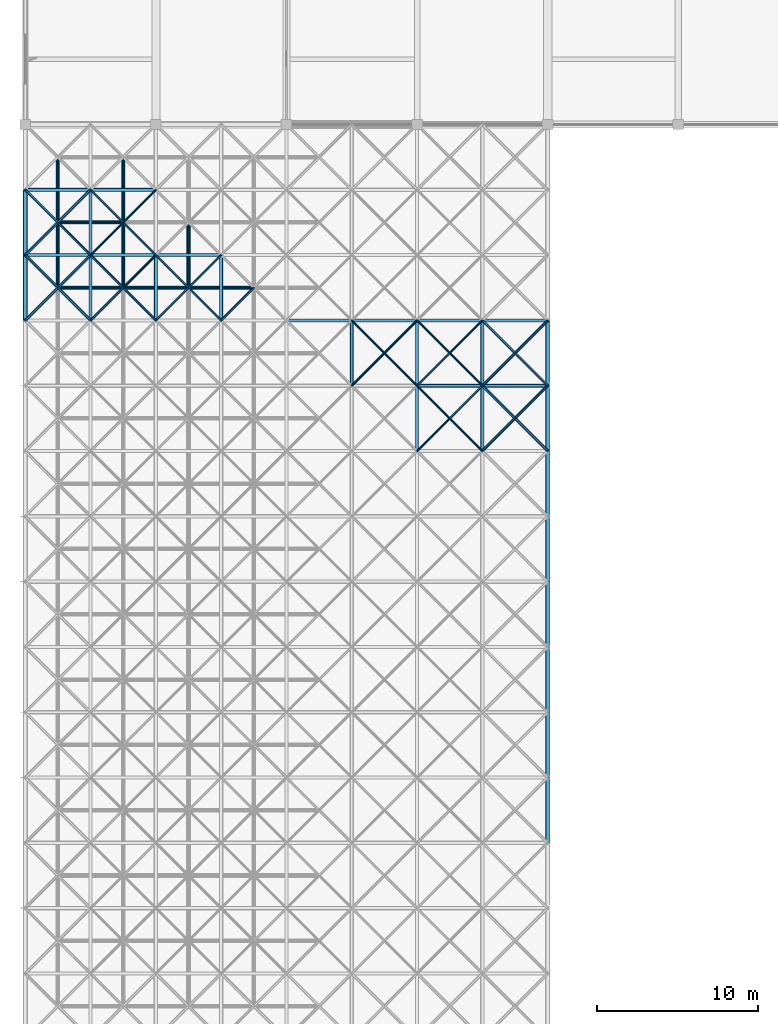
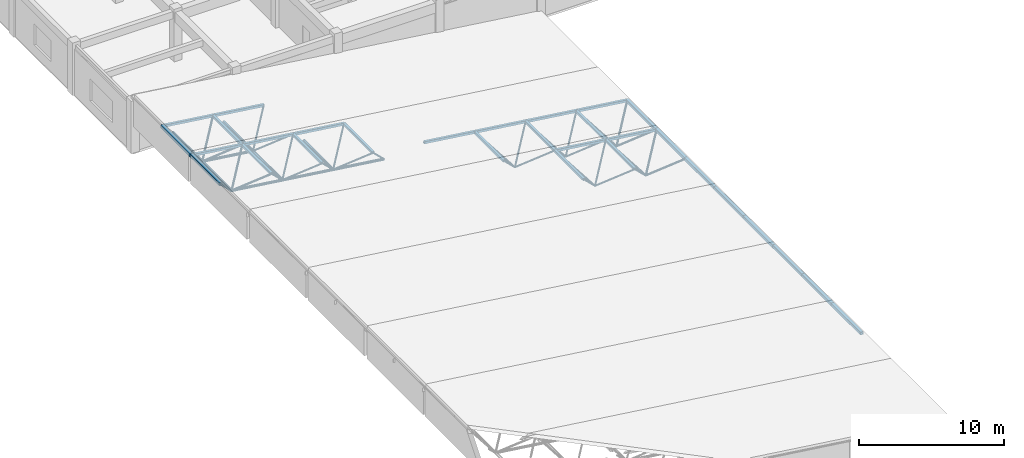
# One storey, part 22 of 70: 80 members.
"""IFC4 building model written with IfcOpenShell, lengths in metres."""

from ifc_helpers import new_model, si_unit, direction, frame, origin, origin_2d, place, context, subcontext, project, spatial, hollow_rectangle, hollow_circle, extrude, material, material_profile, profile_set, type_object, element, save


model = new_model("IFC4")

# Units and contexts
model_context = context("Model", 3, precision=1e-05, world=origin(), true_north=direction((0.0, 1.0)))
body_context = subcontext(model_context, "Body", "Model", "MODEL_VIEW")
ifc_project = project(units=[si_unit("LENGTHUNIT", "METRE"), si_unit("AREAUNIT", "SQUARE_METRE"), si_unit("VOLUMEUNIT", "CUBIC_METRE"), si_unit("PLANEANGLEUNIT", "RADIAN"), si_unit("MASSUNIT", "GRAM", prefix="KILO")], contexts=[model_context])

# Site, building, storey
site_placement = place(None, origin())
site = spatial("IfcSite", under=ifc_project, at=site_placement, CompositionType="ELEMENT")
building_placement = place(site_placement, origin())
building = spatial("IfcBuilding", under=site, at=building_placement, Name="Vaudrelin Polytechnic", CompositionType="ELEMENT")
storey_placement = place(building_placement, frame((0.0, 0.0, 14.110107421875)))
storey = spatial("IfcBuildingStorey", under=building, at=storey_placement, Name="L03", CompositionType="ELEMENT", Elevation=14.110107421875)

# Members
ifc_material = material(Name="Steel CSA G40.21 350WT", Category="steel")
ifc_material_profile_1 = material_profile(ifc_material, hollow_circle(Radius=0.109619140625, WallThickness=0.010986328125, at=origin_2d()), Name="CHS219.1x11.1")
ifc_profile_set_1 = profile_set([ifc_material_profile_1], Name="Steel CSA G40.21 350WT")
member_type_1 = type_object("IfcMemberType", Name="MEM-SF-BC1", PredefinedType="CHORD", material=ifc_profile_set_1)
for number, where, z_axis, x_axis, name in (
    (1, (2.02490234375, 87.074951171875, 2.038818359375), (0.991444732077, 0.0, -0.130527174324), (0.0, 1.0, 0.0), "Space frame bottom chord X 1-12"),
    (2, (6.074951171875, 87.074951171875, 1.505615234375), (0.991444732077, 0.0, -0.130527174324), (0.0, 1.0, 0.0), "Space frame bottom chord X 2-12"),
    (3, (10.125, 87.074951171875, 0.972412109375), (0.991444732077, 0.0, -0.130527174324), (0.0, 1.0, 0.0), "Space frame bottom chord X 3-12"),
    (4, (2.02490234375, 91.125, 2.038818359375), (0.991444732077, 0.0, -0.130527174324), (0.0, 1.0, 0.0), "Space frame bottom chord X 1-13"),
):
    element("IfcMember", number, at=place(storey_placement, frame(where, z_axis=z_axis, x_axis=x_axis)), inside=storey, type_object=member_type_1, Name=name, PredefinedType="CHORD", context=body_context, shape_type="SweptSolid", body=[
        extrude(hollow_circle(Radius=0.109619140625, WallThickness=0.010986328125, at=origin_2d()), origin(), (0.0, 0.0, 1.0), 4.0849609375),
    ])
for number, where, z_axis, x_axis, name in (
    (5, (2.02490234375, 87.074951171875, 2.038818359375), (0.0, 1.0, 0.0), (-1.0, 0.0, 0.0), "Space frame bottom chord Y 1-12"),
    (6, (2.02490234375, 91.125, 2.038818359375), (0.0, 1.0, 0.0), (-1.0, 0.0, 0.0), "Space frame bottom chord Y 1-13"),
    (7, (6.074951171875, 87.074951171875, 1.505615234375), (0.0, 1.0, 0.0), (-1.0, 0.0, 0.0), "Space frame bottom chord Y 2-12"),
    (8, (6.074951171875, 91.125, 1.505615234375), (0.0, 1.0, 0.0), (-1.0, 0.0, 0.0), "Space frame bottom chord Y 2-13"),
    (9, (10.125, 87.074951171875, 0.972412109375), (0.0, 1.0, 0.0), (-1.0, 0.0, 0.0), "Space frame bottom chord Y 3-12"),
):
    element("IfcMember", number, at=place(storey_placement, frame(where, z_axis=z_axis, x_axis=x_axis)), inside=storey, type_object=member_type_1, Name=name, PredefinedType="CHORD", context=body_context, shape_type="SweptSolid", body=[
        extrude(hollow_circle(Radius=0.109619140625, WallThickness=0.010986328125, at=origin_2d()), origin(), (0.0, 0.0, 1.0), 4.050048828125),
    ])
ifc_material_profile_2 = material_profile(ifc_material, hollow_rectangle(XDim=0.202880859375, YDim=0.202880859375, WallThickness=0.009521484375, InnerFilletRadius=0.009521484375, OuterFilletRadius=0.01904296875, at=origin_2d()), Name="HSS203x203x9.5")
ifc_profile_set_2 = profile_set([ifc_material_profile_2], Name="Steel CSA G40.21 350WT")
member_type_2 = type_object("IfcMemberType", Name="MEM-SF-TC1", PredefinedType="CHORD", material=ifc_profile_set_2)
member_1_placement = place(storey_placement, frame((24.300048828125, 81.0, 1.306396484375), z_axis=(0.991444732077, 0.0, -0.130527174324), x_axis=(0.0, 1.0, 0.0)))
element("IfcMember", 10, at=member_1_placement, inside=storey, type_object=member_type_2, Name="Space frame top chord X 7-11", PredefinedType="CHORD", context=body_context, shape_type="SweptSolid", body=[
    extrude(hollow_rectangle(XDim=0.202880859375, YDim=0.202880859375, WallThickness=0.009521484375, InnerFilletRadius=0.009521484375, OuterFilletRadius=0.01904296875, at=origin_2d()), origin(), (0.0, 0.0, 1.0), 4.0849609375),
])
member_2_placement = place(storey_placement, frame((28.35009765625, 81.0, 0.773193359375), z_axis=(0.991443713746, 0.0, -0.13053490902), x_axis=(0.0, 1.0, 0.0)))
element("IfcMember", 11, at=member_2_placement, inside=storey, type_object=member_type_2, Name="Space frame top chord X 8-11", PredefinedType="CHORD", context=body_context, shape_type="SweptSolid", body=[
    extrude(hollow_rectangle(XDim=0.202880859375, YDim=0.202880859375, WallThickness=0.009521484375, InnerFilletRadius=0.009521484375, OuterFilletRadius=0.01904296875, at=origin_2d()), origin(), (0.0, 0.0, 1.0), 4.084716796875),
])
for number, where, z_axis, x_axis, name in (
    (12, (16.199951171875, 85.050048828125, 2.372802734375), (0.991444732077, 0.0, -0.130527174324), (0.0, 1.0, 0.0), "Space frame top chord X 5-12"),
    (13, (20.25, 85.050048828125, 1.839599609375), (0.991444732077, 0.0, -0.130527174324), (0.0, 1.0, 0.0), "Space frame top chord X 6-12"),
    (14, (24.300048828125, 85.050048828125, 1.306396484375), (0.991444732077, 0.0, -0.130527174324), (0.0, 1.0, 0.0), "Space frame top chord X 7-12"),
):
    element("IfcMember", number, at=place(storey_placement, frame(where, z_axis=z_axis, x_axis=x_axis)), inside=storey, type_object=member_type_2, Name=name, PredefinedType="CHORD", context=body_context, shape_type="SweptSolid", body=[
        extrude(hollow_rectangle(XDim=0.202880859375, YDim=0.202880859375, WallThickness=0.009521484375, InnerFilletRadius=0.009521484375, OuterFilletRadius=0.01904296875, at=origin_2d()), origin(), (0.0, 0.0, 1.0), 4.0849609375),
    ])
member_3_placement = place(storey_placement, frame((28.35009765625, 85.050048828125, 0.773193359375), z_axis=(0.991443713746, 0.0, -0.13053490902), x_axis=(0.0, 1.0, 0.0)))
element("IfcMember", 15, at=member_3_placement, inside=storey, type_object=member_type_2, Name="Space frame top chord X 8-12", PredefinedType="CHORD", context=body_context, shape_type="SweptSolid", body=[
    extrude(hollow_rectangle(XDim=0.202880859375, YDim=0.202880859375, WallThickness=0.009521484375, InnerFilletRadius=0.009521484375, OuterFilletRadius=0.01904296875, at=origin_2d()), origin(), (0.0, 0.0, 1.0), 4.084716796875),
])
for number, where, z_axis, x_axis, name in (
    (16, (0.0, 89.10009765625, 4.50537109375), (0.991444732077, 0.0, -0.130527174324), (0.0, 1.0, 0.0), "Space frame top chord X 1-13"),
    (17, (4.050048828125, 89.10009765625, 3.97216796875), (0.991452464639, 0.0, -0.130468426687), (0.0, 1.0, 0.0), "Space frame top chord X 2-13"),
):
    element("IfcMember", number, at=place(storey_placement, frame(where, z_axis=z_axis, x_axis=x_axis)), inside=storey, type_object=member_type_2, Name=name, PredefinedType="CHORD", context=body_context, shape_type="SweptSolid", body=[
        extrude(hollow_rectangle(XDim=0.202880859375, YDim=0.202880859375, WallThickness=0.009521484375, InnerFilletRadius=0.009521484375, OuterFilletRadius=0.01904296875, at=origin_2d()), origin(), (0.0, 0.0, 1.0), 4.0849609375),
    ])
member_4_placement = place(storey_placement, frame((8.10009765625, 89.10009765625, 3.439208984375), z_axis=(0.991443713746, 0.0, -0.13053490902), x_axis=(0.0, 1.0, 0.0)))
element("IfcMember", 18, at=member_4_placement, inside=storey, type_object=member_type_2, Name="Space frame top chord X 3-13", PredefinedType="CHORD", context=body_context, shape_type="SweptSolid", body=[
    extrude(hollow_rectangle(XDim=0.202880859375, YDim=0.202880859375, WallThickness=0.009521484375, InnerFilletRadius=0.009521484375, OuterFilletRadius=0.01904296875, at=origin_2d()), origin(), (0.0, 0.0, 1.0), 4.084716796875),
])
for number, where, z_axis, x_axis, name in (
    (19, (0.0, 93.14990234375, 4.50537109375), (0.991444732077, 0.0, -0.130527174324), (0.0, 1.0, 0.0), "Space frame top chord X 1-14"),
    (20, (4.050048828125, 93.14990234375, 3.97216796875), (0.991452464639, 0.0, -0.130468426687), (0.0, 1.0, 0.0), "Space frame top chord X 2-14"),
):
    element("IfcMember", number, at=place(storey_placement, frame(where, z_axis=z_axis, x_axis=x_axis)), inside=storey, type_object=member_type_2, Name=name, PredefinedType="CHORD", context=body_context, shape_type="SweptSolid", body=[
        extrude(hollow_rectangle(XDim=0.202880859375, YDim=0.202880859375, WallThickness=0.009521484375, InnerFilletRadius=0.009521484375, OuterFilletRadius=0.01904296875, at=origin_2d()), origin(), (0.0, 0.0, 1.0), 4.0849609375),
    ])
member_5_placement = place(storey_placement, frame((4.050048828125, 85.050048828125, 3.97216796875), z_axis=(0.0, 1.0, 0.0), x_axis=(-1.0, 0.0, 0.0)))
element("IfcMember", 21, at=member_5_placement, inside=storey, type_object=member_type_2, Name="Space frame top chord Y 2-12", PredefinedType="CHORD", context=body_context, shape_type="SweptSolid", body=[
    extrude(hollow_rectangle(XDim=0.202880859375, YDim=0.202880859375, WallThickness=0.009521484375, InnerFilletRadius=0.009521484375, OuterFilletRadius=0.01904296875, at=origin_2d()), origin(), (0.0, 0.0, 1.0), 4.050048828125),
])
member_6_placement = place(storey_placement, frame((4.050048828125, 89.10009765625, 3.97216796875), z_axis=(0.0, 1.0, 0.0), x_axis=(-1.0, 0.0, 0.0)))
element("IfcMember", 22, at=member_6_placement, inside=storey, type_object=member_type_2, Name="Space frame top chord Y 2-13", PredefinedType="CHORD", context=body_context, shape_type="SweptSolid", body=[
    extrude(hollow_rectangle(XDim=0.202880859375, YDim=0.202880859375, WallThickness=0.009521484375, InnerFilletRadius=0.009521484375, OuterFilletRadius=0.01904296875, at=origin_2d()), origin(), (0.0, 0.0, 1.0), 4.0498046875),
])
for number, where, z_axis, x_axis, name in (
    (23, (8.10009765625, 85.050048828125, 3.439208984375), (0.0, 1.0, 0.0), (-1.0, 0.0, 0.0), "Space frame top chord Y 3-12"),
    (24, (12.14990234375, 85.050048828125, 2.906005859375), (0.0, 1.0, 0.0), (-1.0, 0.0, 0.0), "Space frame top chord Y 4-12"),
    (25, (20.25, 81.0, 1.839599609375), (0.0, 1.0, 0.0), (-1.0, 0.0, 0.0), "Space frame top chord Y 6-11"),
    (26, (24.300048828125, 76.949951171875, 1.306396484375), (0.0, 1.0, 0.0), (-1.0, 0.0, 0.0), "Space frame top chord Y 7-10"),
    (27, (24.300048828125, 81.0, 1.306396484375), (0.0, 1.0, 0.0), (-1.0, 0.0, 0.0), "Space frame top chord Y 7-11"),
    (28, (28.35009765625, 76.949951171875, 0.773193359375), (0.0, 1.0, 0.0), (-1.0, 0.0, 0.0), "Space frame top chord Y 8-10"),
    (29, (28.35009765625, 81.0, 0.773193359375), (0.0, 1.0, 0.0), (-1.0, 0.0, 0.0), "Space frame top chord Y 8-11"),
):
    element("IfcMember", number, at=place(storey_placement, frame(where, z_axis=z_axis, x_axis=x_axis)), inside=storey, type_object=member_type_2, Name=name, PredefinedType="CHORD", context=body_context, shape_type="SweptSolid", body=[
        extrude(hollow_rectangle(XDim=0.202880859375, YDim=0.202880859375, WallThickness=0.009521484375, InnerFilletRadius=0.009521484375, OuterFilletRadius=0.01904296875, at=origin_2d()), origin(), (0.0, 0.0, 1.0), 4.050048828125),
    ])
ifc_material_profile_3 = material_profile(ifc_material, hollow_rectangle(XDim=0.25390625, YDim=0.25390625, WallThickness=0.0126953125, InnerFilletRadius=0.0126953125, OuterFilletRadius=0.025390625, at=origin_2d()), Name="HSS254x254x12.7")
ifc_profile_set_3 = profile_set([ifc_material_profile_3], Name="Steel CSA G40.21 350WT")
member_type_3 = type_object("IfcMemberType", Name="MEM-SF-TC2", PredefinedType="CHORD", material=ifc_profile_set_3)
member_7_placement = place(storey_placement, frame((0.0, 85.050048828125, 4.50537109375), z_axis=(0.0, 1.0, 0.0), x_axis=(-1.0, 0.0, 0.0)))
element("IfcMember", 30, at=member_7_placement, inside=storey, type_object=member_type_3, Name="Space frame top chord Y 1-12", PredefinedType="CHORD", context=body_context, shape_type="SweptSolid", body=[
    extrude(hollow_rectangle(XDim=0.25390625, YDim=0.25390625, WallThickness=0.0126953125, InnerFilletRadius=0.0126953125, OuterFilletRadius=0.025390625, at=origin_2d()), origin(), (0.0, 0.0, 1.0), 4.050048828125),
])
member_8_placement = place(storey_placement, frame((0.0, 89.10009765625, 4.50537109375), z_axis=(0.0, 1.0, 0.0), x_axis=(-1.0, 0.0, 0.0)))
element("IfcMember", 31, at=member_8_placement, inside=storey, type_object=member_type_3, Name="Space frame top chord Y 1-13", PredefinedType="CHORD", context=body_context, shape_type="SweptSolid", body=[
    extrude(hollow_rectangle(XDim=0.25390625, YDim=0.25390625, WallThickness=0.0126953125, InnerFilletRadius=0.0126953125, OuterFilletRadius=0.025390625, at=origin_2d()), origin(), (0.0, 0.0, 1.0), 4.0498046875),
])
for number, where, z_axis, x_axis, name in (
    (32, (32.39990234375, 52.64990234375, 0.239990234375), (0.0, 1.0, 0.0), (-1.0, 0.0, 0.0), "Space frame top chord Y 9-4"),
    (33, (32.39990234375, 56.699951171875, 0.239990234375), (0.0, 1.0, 0.0), (-1.0, 0.0, 0.0), "Space frame top chord Y 9-5"),
    (34, (32.39990234375, 60.75, 0.239990234375), (0.0, 1.0, 0.0), (-1.0, 0.0, 0.0), "Space frame top chord Y 9-6"),
    (35, (32.39990234375, 64.800048828125, 0.239990234375), (0.0, 1.0, 0.0), (-1.0, 0.0, 0.0), "Space frame top chord Y 9-7"),
):
    element("IfcMember", number, at=place(storey_placement, frame(where, z_axis=z_axis, x_axis=x_axis)), inside=storey, type_object=member_type_3, Name=name, PredefinedType="CHORD", context=body_context, shape_type="SweptSolid", body=[
        extrude(hollow_rectangle(XDim=0.25390625, YDim=0.25390625, WallThickness=0.0126953125, InnerFilletRadius=0.0126953125, OuterFilletRadius=0.025390625, at=origin_2d()), origin(), (0.0, 0.0, 1.0), 4.050048828125),
    ])
member_9_placement = place(storey_placement, frame((32.39990234375, 68.85009765625, 0.239990234375), z_axis=(0.0, 1.0, 0.0), x_axis=(-1.0, 0.0, 0.0)))
element("IfcMember", 36, at=member_9_placement, inside=storey, type_object=member_type_3, Name="Space frame top chord Y 9-8", PredefinedType="CHORD", context=body_context, shape_type="SweptSolid", body=[
    extrude(hollow_rectangle(XDim=0.25390625, YDim=0.25390625, WallThickness=0.0126953125, InnerFilletRadius=0.0126953125, OuterFilletRadius=0.025390625, at=origin_2d()), origin(), (0.0, 0.0, 1.0), 4.0498046875),
])
for number, where, z_axis, x_axis, name in (
    (37, (32.39990234375, 72.89990234375, 0.239990234375), (0.0, 1.0, 0.0), (-1.0, 0.0, 0.0), "Space frame top chord Y 9-9"),
    (38, (32.39990234375, 76.949951171875, 0.239990234375), (0.0, 1.0, 0.0), (-1.0, 0.0, 0.0), "Space frame top chord Y 9-10"),
    (39, (32.39990234375, 81.0, 0.239990234375), (0.0, 1.0, 0.0), (-1.0, 0.0, 0.0), "Space frame top chord Y 9-11"),
):
    element("IfcMember", number, at=place(storey_placement, frame(where, z_axis=z_axis, x_axis=x_axis)), inside=storey, type_object=member_type_3, Name=name, PredefinedType="CHORD", context=body_context, shape_type="SweptSolid", body=[
        extrude(hollow_rectangle(XDim=0.25390625, YDim=0.25390625, WallThickness=0.0126953125, InnerFilletRadius=0.0126953125, OuterFilletRadius=0.025390625, at=origin_2d()), origin(), (0.0, 0.0, 1.0), 4.050048828125),
    ])
ifc_material_profile_4 = material_profile(ifc_material, hollow_circle(Radius=0.06982421875, WallThickness=0.008056640625, at=origin_2d()), Name="CHS139.7x8.0")
ifc_profile_set_4 = profile_set([ifc_material_profile_4], Name="Steel CSA G40.21 350WT")
member_type_4 = type_object("IfcMemberType", Name="MEM-SF-WB1", PredefinedType="BRACE", material=ifc_profile_set_4)
member_10_placement = place(storey_placement, frame((6.074951171875, 87.074951171875, 1.505615234375), z_axis=(-0.535764547812, -0.535764547812, 0.652619872986), x_axis=(0.707106781187, -0.707106781187, 0.0)))
element("IfcMember", 40, at=member_10_placement, inside=storey, type_object=member_type_4, Name="Space frame web diagonal 2.12.1", PredefinedType="BRACE", context=body_context, shape_type="SweptSolid", body=[
    extrude(hollow_circle(Radius=0.06982421875, WallThickness=0.008056640625, at=origin_2d()), origin(), (0.0, 0.0, 1.0), 3.779541015625),
])
for number, where, z_axis, x_axis, name in (
    (41, (6.074951171875, 87.074951171875, 1.505615234375), (0.586070753284, -0.586000099787, 0.559575692105), (0.707064154862, 0.707149404941, 0.0), "Space frame web diagonal 2.12.2"),
    (42, (6.074951171875, 87.074951171875, 1.505615234375), (0.586046488267, 0.586046488267, 0.559552524059), (-0.707106781187, 0.707106781187, 0.0), "Space frame web diagonal 2.12.3"),
):
    element("IfcMember", number, at=place(storey_placement, frame(where, z_axis=z_axis, x_axis=x_axis)), inside=storey, type_object=member_type_4, Name=name, PredefinedType="BRACE", context=body_context, shape_type="SweptSolid", body=[
        extrude(hollow_circle(Radius=0.06982421875, WallThickness=0.008056640625, at=origin_2d()), origin(), (0.0, 0.0, 1.0), 3.45556640625),
    ])
for number, where, z_axis, x_axis, name in (
    (43, (6.074951171875, 87.074951171875, 1.505615234375), (-0.535746005601, 0.535810600007, 0.652597286543), (-0.707149404941, -0.707064154862, 0.0), "Space frame web diagonal 2.12.4"),
    (44, (6.074951171875, 91.125, 1.505615234375), (-0.535764547812, -0.535764547812, 0.652619872986), (0.707106781187, -0.707106781187, 0.0), "Space frame web diagonal 2.13.1"),
):
    element("IfcMember", number, at=place(storey_placement, frame(where, z_axis=z_axis, x_axis=x_axis)), inside=storey, type_object=member_type_4, Name=name, PredefinedType="BRACE", context=body_context, shape_type="SweptSolid", body=[
        extrude(hollow_circle(Radius=0.06982421875, WallThickness=0.008056640625, at=origin_2d()), origin(), (0.0, 0.0, 1.0), 3.779541015625),
    ])
for number, where, z_axis, x_axis, name in (
    (45, (6.074951171875, 91.125, 1.505615234375), (0.586070753284, -0.586000099787, 0.559575692105), (0.707064154862, 0.707149404941, 0.0), "Space frame web diagonal 2.13.2"),
    (46, (6.074951171875, 91.125, 1.505615234375), (0.586070753284, 0.586000099787, 0.559575692105), (-0.707064154862, 0.707149404941, 0.0), "Space frame web diagonal 2.13.3"),
):
    element("IfcMember", number, at=place(storey_placement, frame(where, z_axis=z_axis, x_axis=x_axis)), inside=storey, type_object=member_type_4, Name=name, PredefinedType="BRACE", context=body_context, shape_type="SweptSolid", body=[
        extrude(hollow_circle(Radius=0.06982421875, WallThickness=0.008056640625, at=origin_2d()), origin(), (0.0, 0.0, 1.0), 3.45556640625),
    ])
for number, where, z_axis, x_axis, name in (
    (47, (6.074951171875, 91.125, 1.505615234375), (-0.535764547812, 0.535764547812, 0.652619872986), (-0.707106781187, -0.707106781187, 0.0), "Space frame web diagonal 2.13.4"),
    (48, (10.125, 87.074951171875, 0.972412109375), (-0.535741961868, -0.535741961868, 0.652656954753), (0.707106781187, -0.707106781187, 0.0), "Space frame web diagonal 3.12.1"),
):
    element("IfcMember", number, at=place(storey_placement, frame(where, z_axis=z_axis, x_axis=x_axis)), inside=storey, type_object=member_type_4, Name=name, PredefinedType="BRACE", context=body_context, shape_type="SweptSolid", body=[
        extrude(hollow_circle(Radius=0.06982421875, WallThickness=0.008056640625, at=origin_2d()), origin(), (0.0, 0.0, 1.0), 3.779541015625),
    ])
member_11_placement = place(storey_placement, frame((10.125, 87.074951171875, 0.972412109375), z_axis=(0.586024364893, -0.586024364893, 0.559598863028), x_axis=(0.707106781187, 0.707106781187, 0.0)))
element("IfcMember", 49, at=member_11_placement, inside=storey, type_object=member_type_4, Name="Space frame web diagonal 3.12.2", PredefinedType="BRACE", context=body_context, shape_type="SweptSolid", body=[
    extrude(hollow_circle(Radius=0.06982421875, WallThickness=0.008056640625, at=origin_2d()), origin(), (0.0, 0.0, 1.0), 3.455322265625),
])
member_12_placement = place(storey_placement, frame((10.125, 87.074951171875, 0.972412109375), z_axis=(0.586000099787, 0.586070753284, 0.559575692105), x_axis=(-0.707149404941, 0.707064154862, 0.0)))
element("IfcMember", 50, at=member_12_placement, inside=storey, type_object=member_type_4, Name="Space frame web diagonal 3.12.3", PredefinedType="BRACE", context=body_context, shape_type="SweptSolid", body=[
    extrude(hollow_circle(Radius=0.06982421875, WallThickness=0.008056640625, at=origin_2d()), origin(), (0.0, 0.0, 1.0), 3.45556640625),
])
for number, where, z_axis, x_axis, name in (
    (51, (10.125, 87.074951171875, 0.972412109375), (-0.535723422002, 0.535788013686, 0.65263436893), (-0.707149404941, -0.707064154862, 0.0), "Space frame web diagonal 3.12.4"),
    (52, (14.175048828125, 87.074951171875, 0.439208984375), (-0.535788013686, -0.535723422002, 0.65263436893), (0.707064154862, -0.707149404941, 0.0), "Space frame web diagonal 4.12.1"),
):
    element("IfcMember", number, at=place(storey_placement, frame(where, z_axis=z_axis, x_axis=x_axis)), inside=storey, type_object=member_type_4, Name=name, PredefinedType="BRACE", context=body_context, shape_type="SweptSolid", body=[
        extrude(hollow_circle(Radius=0.06982421875, WallThickness=0.008056640625, at=origin_2d()), origin(), (0.0, 0.0, 1.0), 3.77978515625),
    ])
member_13_placement = place(storey_placement, frame((22.27490234375, 83.02490234375, -0.627197265625), z_axis=(-0.535741961868, -0.535741961868, 0.652656954753), x_axis=(0.707106781187, -0.707106781187, 0.0)))
element("IfcMember", 53, at=member_13_placement, inside=storey, type_object=member_type_4, Name="Space frame web diagonal 6.11.1", PredefinedType="BRACE", context=body_context, shape_type="SweptSolid", body=[
    extrude(hollow_circle(Radius=0.06982421875, WallThickness=0.008056640625, at=origin_2d()), origin(), (0.0, 0.0, 1.0), 3.779541015625),
])
for number, where, z_axis, x_axis, name in (
    (54, (22.27490234375, 83.02490234375, -0.627197265625), (0.586070753284, -0.586000099787, 0.559575692105), (0.707064154862, 0.707149404941, 0.0), "Space frame web diagonal 6.11.2"),
    (55, (22.27490234375, 83.02490234375, -0.627197265625), (0.586046488267, 0.586046488267, 0.559552524059), (-0.707106781187, 0.707106781187, 0.0), "Space frame web diagonal 6.11.3"),
):
    element("IfcMember", number, at=place(storey_placement, frame(where, z_axis=z_axis, x_axis=x_axis)), inside=storey, type_object=member_type_4, Name=name, PredefinedType="BRACE", context=body_context, shape_type="SweptSolid", body=[
        extrude(hollow_circle(Radius=0.06982421875, WallThickness=0.008056640625, at=origin_2d()), origin(), (0.0, 0.0, 1.0), 3.45556640625),
    ])
for number, where, z_axis, x_axis, name in (
    (56, (22.27490234375, 83.02490234375, -0.627197265625), (-0.535723422002, 0.535788013686, 0.65263436893), (-0.707149404941, -0.707064154862, 0.0), "Space frame web diagonal 6.11.4"),
    (57, (26.324951171875, 78.97509765625, -1.160400390625), (-0.535723422002, -0.535788013686, 0.65263436893), (0.707149404941, -0.707064154862, 0.0), "Space frame web diagonal 7.10.1"),
):
    element("IfcMember", number, at=place(storey_placement, frame(where, z_axis=z_axis, x_axis=x_axis)), inside=storey, type_object=member_type_4, Name=name, PredefinedType="BRACE", context=body_context, shape_type="SweptSolid", body=[
        extrude(hollow_circle(Radius=0.06982421875, WallThickness=0.008056640625, at=origin_2d()), origin(), (0.0, 0.0, 1.0), 3.77978515625),
    ])
for number, where, z_axis, x_axis, name in (
    (58, (26.324951171875, 78.97509765625, -1.160400390625), (0.586046488267, -0.586046488267, 0.559552524059), (0.707106781187, 0.707106781187, 0.0), "Space frame web diagonal 7.10.2"),
    (59, (26.324951171875, 78.97509765625, -1.160400390625), (0.586070753284, 0.586000099787, 0.559575692105), (-0.707064154862, 0.707149404941, 0.0), "Space frame web diagonal 7.10.3"),
):
    element("IfcMember", number, at=place(storey_placement, frame(where, z_axis=z_axis, x_axis=x_axis)), inside=storey, type_object=member_type_4, Name=name, PredefinedType="BRACE", context=body_context, shape_type="SweptSolid", body=[
        extrude(hollow_circle(Radius=0.06982421875, WallThickness=0.008056640625, at=origin_2d()), origin(), (0.0, 0.0, 1.0), 3.45556640625),
    ])
for number, where, z_axis, x_axis, name in (
    (60, (26.324951171875, 78.97509765625, -1.160400390625), (-0.535741961868, 0.535741961868, 0.652656954753), (-0.707106781187, -0.707106781187, 0.0), "Space frame web diagonal 7.10.4"),
    (61, (26.324951171875, 83.02490234375, -1.160400390625), (-0.535741961868, -0.535741961868, 0.652656954753), (0.707106781187, -0.707106781187, 0.0), "Space frame web diagonal 7.11.1"),
):
    element("IfcMember", number, at=place(storey_placement, frame(where, z_axis=z_axis, x_axis=x_axis)), inside=storey, type_object=member_type_4, Name=name, PredefinedType="BRACE", context=body_context, shape_type="SweptSolid", body=[
        extrude(hollow_circle(Radius=0.06982421875, WallThickness=0.008056640625, at=origin_2d()), origin(), (0.0, 0.0, 1.0), 3.779541015625),
    ])
for number, where, z_axis, x_axis, name in (
    (62, (26.324951171875, 83.02490234375, -1.160400390625), (0.586070753284, -0.586000099787, 0.559575692105), (0.707064154862, 0.707149404941, 0.0), "Space frame web diagonal 7.11.2"),
    (63, (26.324951171875, 83.02490234375, -1.160400390625), (0.586046488267, 0.586046488267, 0.559552524059), (-0.707106781187, 0.707106781187, 0.0), "Space frame web diagonal 7.11.3"),
):
    element("IfcMember", number, at=place(storey_placement, frame(where, z_axis=z_axis, x_axis=x_axis)), inside=storey, type_object=member_type_4, Name=name, PredefinedType="BRACE", context=body_context, shape_type="SweptSolid", body=[
        extrude(hollow_circle(Radius=0.06982421875, WallThickness=0.008056640625, at=origin_2d()), origin(), (0.0, 0.0, 1.0), 3.45556640625),
    ])
member_14_placement = place(storey_placement, frame((26.324951171875, 83.02490234375, -1.160400390625), z_axis=(-0.535723422002, 0.535788013686, 0.65263436893), x_axis=(-0.707149404941, -0.707064154862, 0.0)))
element("IfcMember", 64, at=member_14_placement, inside=storey, type_object=member_type_4, Name="Space frame web diagonal 7.11.4", PredefinedType="BRACE", context=body_context, shape_type="SweptSolid", body=[
    extrude(hollow_circle(Radius=0.06982421875, WallThickness=0.008056640625, at=origin_2d()), origin(), (0.0, 0.0, 1.0), 3.77978515625),
])
ifc_material_profile_5 = material_profile(ifc_material, hollow_circle(Radius=0.084228515625, WallThickness=0.009521484375, at=origin_2d()), Name="CHS168.3x9.5")
ifc_profile_set_5 = profile_set([ifc_material_profile_5], Name="Steel CSA G40.21 350WT")
member_type_5 = type_object("IfcMemberType", Name="MEM-SF-WB2", PredefinedType="BRACE", material=ifc_profile_set_5)
member_15_placement = place(storey_placement, frame((2.02490234375, 87.074951171875, 2.038818359375), z_axis=(-0.535764547812, -0.535764547812, 0.652619872986), x_axis=(0.707106781187, -0.707106781187, 0.0)))
element("IfcMember", 65, at=member_15_placement, inside=storey, type_object=member_type_5, Name="Space frame web diagonal 1.12.1", PredefinedType="BRACE", context=body_context, shape_type="SweptSolid", body=[
    extrude(hollow_circle(Radius=0.084228515625, WallThickness=0.009521484375, at=origin_2d()), origin(), (0.0, 0.0, 1.0), 3.779541015625),
])
member_16_placement = place(storey_placement, frame((2.02490234375, 87.074951171875, 2.038818359375), z_axis=(0.586093924076, -0.586023267786, 0.559527159103), x_axis=(0.707064154862, 0.707149404941, 0.0)))
element("IfcMember", 66, at=member_16_placement, inside=storey, type_object=member_type_5, Name="Space frame web diagonal 1.12.2", PredefinedType="BRACE", context=body_context, shape_type="SweptSolid", body=[
    extrude(hollow_circle(Radius=0.084228515625, WallThickness=0.009521484375, at=origin_2d()), origin(), (0.0, 0.0, 1.0), 3.455322265625),
])
member_17_placement = place(storey_placement, frame((2.02490234375, 87.074951171875, 2.038818359375), z_axis=(0.586069656181, 0.586069656181, 0.559503991235), x_axis=(-0.707106781187, 0.707106781187, 0.0)))
element("IfcMember", 67, at=member_17_placement, inside=storey, type_object=member_type_5, Name="Space frame web diagonal 1.12.3", PredefinedType="BRACE", context=body_context, shape_type="SweptSolid", body=[
    extrude(hollow_circle(Radius=0.084228515625, WallThickness=0.009521484375, at=origin_2d()), origin(), (0.0, 0.0, 1.0), 3.45556640625),
])
for number, where, z_axis, x_axis, name in (
    (68, (2.02490234375, 87.074951171875, 2.038818359375), (-0.535746005601, 0.535810600007, 0.652597286543), (-0.707149404941, -0.707064154862, 0.0), "Space frame web diagonal 1.12.4"),
    (69, (2.02490234375, 91.125, 2.038818359375), (-0.535764547812, -0.535764547812, 0.652619872986), (0.707106781187, -0.707106781187, 0.0), "Space frame web diagonal 1.13.1"),
):
    element("IfcMember", number, at=place(storey_placement, frame(where, z_axis=z_axis, x_axis=x_axis)), inside=storey, type_object=member_type_5, Name=name, PredefinedType="BRACE", context=body_context, shape_type="SweptSolid", body=[
        extrude(hollow_circle(Radius=0.084228515625, WallThickness=0.009521484375, at=origin_2d()), origin(), (0.0, 0.0, 1.0), 3.779541015625),
    ])
for number, where, z_axis, x_axis, name in (
    (70, (2.02490234375, 91.125, 2.038818359375), (0.586093924076, -0.586023267786, 0.559527159103), (0.707064154862, 0.707149404941, 0.0), "Space frame web diagonal 1.13.2"),
    (71, (2.02490234375, 91.125, 2.038818359375), (0.586093924076, 0.586023267786, 0.559527159103), (-0.707064154862, 0.707149404941, 0.0), "Space frame web diagonal 1.13.3"),
):
    element("IfcMember", number, at=place(storey_placement, frame(where, z_axis=z_axis, x_axis=x_axis)), inside=storey, type_object=member_type_5, Name=name, PredefinedType="BRACE", context=body_context, shape_type="SweptSolid", body=[
        extrude(hollow_circle(Radius=0.084228515625, WallThickness=0.009521484375, at=origin_2d()), origin(), (0.0, 0.0, 1.0), 3.455322265625),
    ])
member_18_placement = place(storey_placement, frame((2.02490234375, 91.125, 2.038818359375), z_axis=(-0.535764547812, 0.535764547812, 0.652619872986), x_axis=(-0.707106781187, -0.707106781187, 0.0)))
element("IfcMember", 72, at=member_18_placement, inside=storey, type_object=member_type_5, Name="Space frame web diagonal 1.13.4", PredefinedType="BRACE", context=body_context, shape_type="SweptSolid", body=[
    extrude(hollow_circle(Radius=0.084228515625, WallThickness=0.009521484375, at=origin_2d()), origin(), (0.0, 0.0, 1.0), 3.779541015625),
])
member_19_placement = place(storey_placement, frame((30.375, 78.97509765625, -1.693603515625), z_axis=(-0.535723422002, -0.535788013686, 0.65263436893), x_axis=(0.707149404941, -0.707064154862, 0.0)))
element("IfcMember", 73, at=member_19_placement, inside=storey, type_object=member_type_5, Name="Space frame web diagonal 8.10.1", PredefinedType="BRACE", context=body_context, shape_type="SweptSolid", body=[
    extrude(hollow_circle(Radius=0.084228515625, WallThickness=0.009521484375, at=origin_2d()), origin(), (0.0, 0.0, 1.0), 3.77978515625),
])
member_20_placement = place(storey_placement, frame((30.375, 78.97509765625, -1.693603515625), z_axis=(0.586000099787, -0.586070753284, 0.559575692105), x_axis=(0.707149404941, 0.707064154862, 0.0)))
element("IfcMember", 74, at=member_20_placement, inside=storey, type_object=member_type_5, Name="Space frame web diagonal 8.10.2", PredefinedType="BRACE", context=body_context, shape_type="SweptSolid", body=[
    extrude(hollow_circle(Radius=0.084228515625, WallThickness=0.009521484375, at=origin_2d()), origin(), (0.0, 0.0, 1.0), 3.45556640625),
])
member_21_placement = place(storey_placement, frame((30.375, 78.97509765625, -1.693603515625), z_axis=(0.586024364893, 0.586024364893, 0.559598863028), x_axis=(-0.707106781187, 0.707106781187, 0.0)))
element("IfcMember", 75, at=member_21_placement, inside=storey, type_object=member_type_5, Name="Space frame web diagonal 8.10.3", PredefinedType="BRACE", context=body_context, shape_type="SweptSolid", body=[
    extrude(hollow_circle(Radius=0.084228515625, WallThickness=0.009521484375, at=origin_2d()), origin(), (0.0, 0.0, 1.0), 3.455322265625),
])
for number, where, z_axis, x_axis, name in (
    (76, (30.375, 78.97509765625, -1.693603515625), (-0.535741961868, 0.535741961868, 0.652656954753), (-0.707106781187, -0.707106781187, 0.0), "Space frame web diagonal 8.10.4"),
    (77, (30.375, 83.02490234375, -1.693603515625), (-0.535741961868, -0.535741961868, 0.652656954753), (0.707106781187, -0.707106781187, 0.0), "Space frame web diagonal 8.11.1"),
):
    element("IfcMember", number, at=place(storey_placement, frame(where, z_axis=z_axis, x_axis=x_axis)), inside=storey, type_object=member_type_5, Name=name, PredefinedType="BRACE", context=body_context, shape_type="SweptSolid", body=[
        extrude(hollow_circle(Radius=0.084228515625, WallThickness=0.009521484375, at=origin_2d()), origin(), (0.0, 0.0, 1.0), 3.779541015625),
    ])
member_22_placement = place(storey_placement, frame((30.375, 83.02490234375, -1.693603515625), z_axis=(0.586024364893, -0.586024364893, 0.559598863028), x_axis=(0.707106781187, 0.707106781187, 0.0)))
element("IfcMember", 78, at=member_22_placement, inside=storey, type_object=member_type_5, Name="Space frame web diagonal 8.11.2", PredefinedType="BRACE", context=body_context, shape_type="SweptSolid", body=[
    extrude(hollow_circle(Radius=0.084228515625, WallThickness=0.009521484375, at=origin_2d()), origin(), (0.0, 0.0, 1.0), 3.455322265625),
])
member_23_placement = place(storey_placement, frame((30.375, 83.02490234375, -1.693603515625), z_axis=(0.586000099787, 0.586070753284, 0.559575692105), x_axis=(-0.707149404941, 0.707064154862, 0.0)))
element("IfcMember", 79, at=member_23_placement, inside=storey, type_object=member_type_5, Name="Space frame web diagonal 8.11.3", PredefinedType="BRACE", context=body_context, shape_type="SweptSolid", body=[
    extrude(hollow_circle(Radius=0.084228515625, WallThickness=0.009521484375, at=origin_2d()), origin(), (0.0, 0.0, 1.0), 3.45556640625),
])
member_24_placement = place(storey_placement, frame((30.375, 83.02490234375, -1.693603515625), z_axis=(-0.535723422002, 0.535788013686, 0.65263436893), x_axis=(-0.707149404941, -0.707064154862, 0.0)))
element("IfcMember", 80, at=member_24_placement, inside=storey, type_object=member_type_5, Name="Space frame web diagonal 8.11.4", PredefinedType="BRACE", context=body_context, shape_type="SweptSolid", body=[
    extrude(hollow_circle(Radius=0.084228515625, WallThickness=0.009521484375, at=origin_2d()), origin(), (0.0, 0.0, 1.0), 3.77978515625),
])

save(model, "model.ifc")
